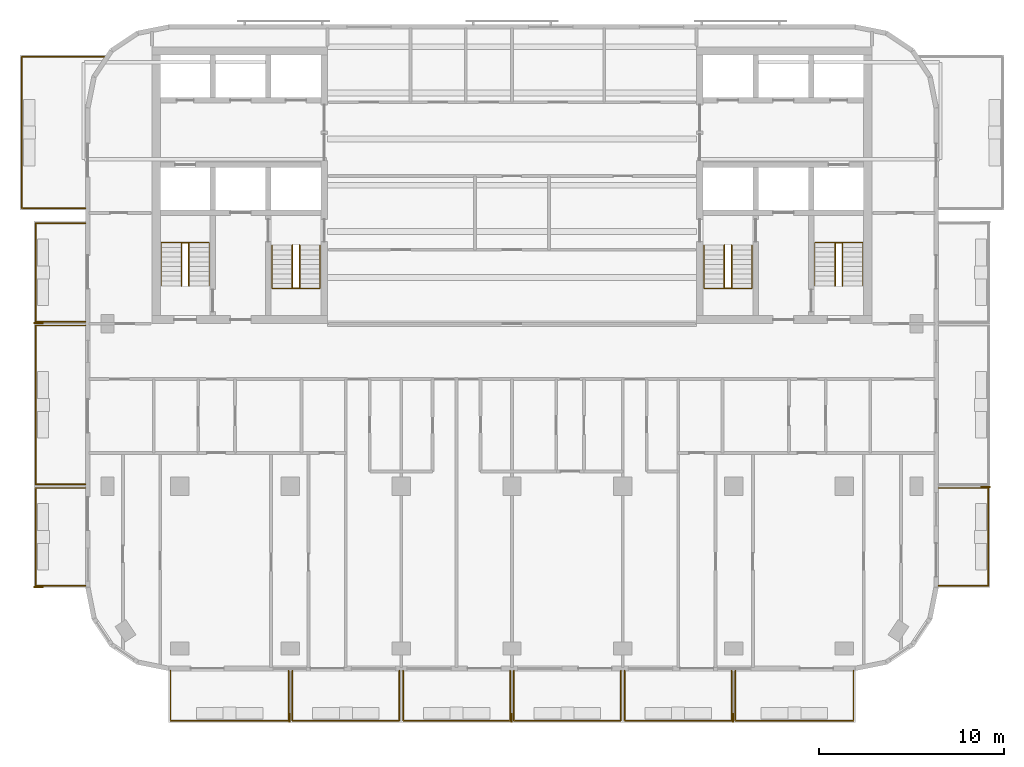
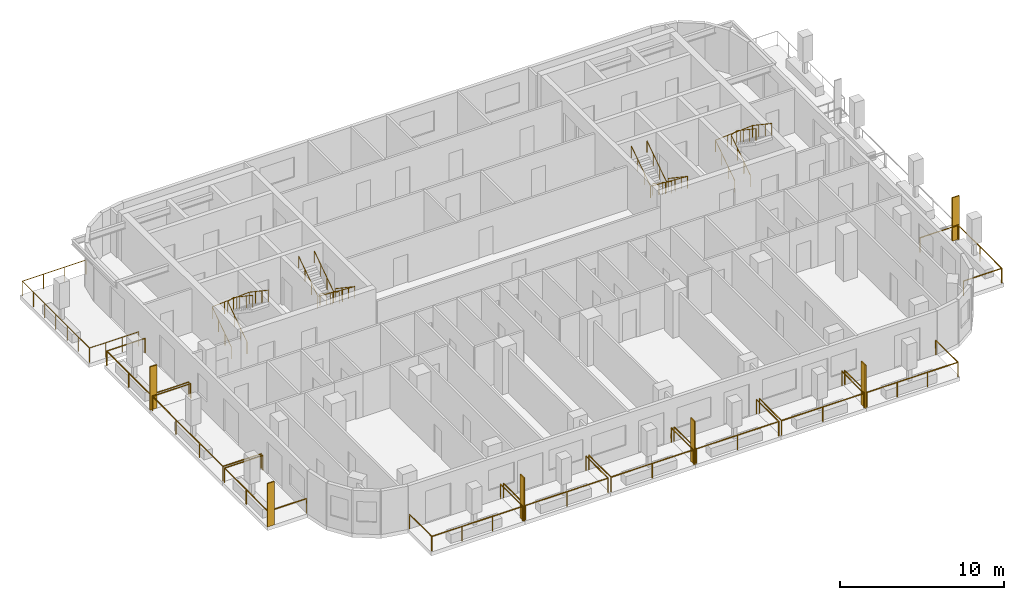
# One storey, part 9 of 11: 19 railings, 6 shading devices.
"""IFC4 building model written with IfcOpenShell, lengths in metres."""

from ifc_helpers import new_model, si_unit, direction, frame, origin, origin_2d, place, context, subcontext, project, spatial, rectangle, circle, extrude, material, layer, layer_set, type_object, element, save


model = new_model("IFC4")

# Units and contexts
model_context = context("Model", 3, precision=1e-05, world=origin(), true_north=direction((0.0, 1.0)))
body_context = subcontext(model_context, "Body", "Model", "MODEL_VIEW")
ifc_project = project(units=[si_unit("LENGTHUNIT", "METRE"), si_unit("AREAUNIT", "SQUARE_METRE"), si_unit("VOLUMEUNIT", "CUBIC_METRE"), si_unit("PLANEANGLEUNIT", "RADIAN"), si_unit("MASSUNIT", "GRAM", prefix="KILO")], contexts=[model_context])

# Site, building, storey
site_placement = place(None, origin())
site = spatial("IfcSite", under=ifc_project, at=site_placement, CompositionType="ELEMENT")
building_placement = place(site_placement, origin())
building = spatial("IfcBuilding", under=site, at=building_placement, Name="Torana Hotel and Residences", CompositionType="ELEMENT")
storey_placement = place(building_placement, frame((0.0, 0.0, 270.10009765625)))
storey = spatial("IfcBuildingStorey", under=building, at=storey_placement, Name="L71", CompositionType="ELEMENT", Elevation=270.10009765625)

# Shading devices
ifc_material_1 = material(Name="Black powder coated aluminium", Category="aluminium")
ifc_layer = layer(ifc_material_1, 0.080078125)
ifc_layer_set = layer_set([ifc_layer], Name="FN1 VERTICAL FIN 500x80")
shading_device_type = type_object("IfcShadingDeviceType", Name="FN1 VERTICAL FIN 500x80", PredefinedType="USERDEFINED", material=ifc_layer_set)
for number, where, z_axis, x_axis, name in (
    (1, (-12.0400390625, -36.35009765625, 0.0), (0.0, 0.0, 1.0), (-1.0, 0.0, 0.0), "Fin 01"),
    (2, (-0.0400390625, -36.35009765625, 0.0), (0.0, 0.0, 1.0), (-1.0, 0.0, 0.0), "Fin 03"),
    (3, (11.9599609375, -36.35009765625, 0.0), (0.0, 0.0, 1.0), (-1.0, 0.0, 0.0), "Fin 05"),
    (4, (-25.64990234375, -29.260009765625, 0.0), (0.0, 0.0, 1.0), (0.0, 1.0, 0.0), "Fin 07"),
    (5, (-25.64990234375, -14.9599609375, 0.0), (0.0, 0.0, 1.0), (0.0, 1.0, 0.0), "Fin 09"),
    (6, (25.64990234375, -23.840087890625, 0.0), (0.0, 0.0, 1.0), (0.0, -1.0, 0.0), "Fin 11"),
):
    element("IfcShadingDevice", number, at=place(storey_placement, frame(where, z_axis=z_axis, x_axis=x_axis)), inside=storey, type_object=shading_device_type, Name=name, ObjectType="FIN", PredefinedType="USERDEFINED", context=body_context, shape_type="SweptSolid", body=[
        extrude(rectangle(XDim=0.080078125, YDim=0.5, at=origin_2d()), origin(), (0.0, 0.0, 1.0), 3.219970703125),
    ])

# Railings
ifc_material_2 = material(Name="Laminated glass balustrade with black handrail", Category="glass")
railing_type_1 = type_object("IfcRailingType", Name="GR1 BALCONY GUARD 1100 GLASS", PredefinedType="GUARDRAIL", material=ifc_material_2)
railing_1_placement = place(storey_placement, frame((-12.10009765625, -33.800048828125, 0.0)))
element("IfcRailing", 7, at=railing_1_placement, inside=storey, type_object=railing_type_1, Name="Balcony guard 01", PredefinedType="GUARDRAIL", context=body_context, shape_type="SweptSolid", body=[
    extrude(circle(Radius=0.02392578125, at=origin_2d()), frame((0.0, 0.0, 1.076171875), z_axis=(0.0, -1.0, 0.0), x_axis=(1.0, 0.0, 0.0)), (0.0, 0.0, 1.0), 2.699951171875),
    extrude(circle(Radius=0.02392578125, at=origin_2d()), frame((0.0, -2.699951171875, 1.076171875), z_axis=(-1.0, 0.0, 0.0), x_axis=(0.0, -1.0, 0.0)), (0.0, 0.0, 1.0), 6.39990234375),
    extrude(circle(Radius=0.02392578125, at=origin_2d()), frame((-6.39990234375, -2.699951171875, 1.076171875), z_axis=(0.0, 1.0, 0.0), x_axis=(-1.0, 0.0, 0.0)), (0.0, 0.0, 1.0), 2.699951171875),
    extrude(circle(Radius=0.02099609375, at=origin_2d()), origin(), (0.0, 0.0, 1.0), 1.052001953125),
    extrude(circle(Radius=0.02099609375, at=origin_2d()), frame((0.0, -2.699951171875, 0.0)), (0.0, 0.0, 1.0), 1.052001953125),
    extrude(circle(Radius=0.02099609375, at=origin_2d()), frame((-2.13330078125, -2.699951171875, 0.0)), (0.0, 0.0, 1.0), 1.052001953125),
    extrude(circle(Radius=0.02099609375, at=origin_2d()), frame((-4.2666015625, -2.699951171875, 0.0)), (0.0, 0.0, 1.0), 1.052001953125),
    extrude(circle(Radius=0.02099609375, at=origin_2d()), frame((-6.39990234375, -2.699951171875, 0.0)), (0.0, 0.0, 1.0), 1.052001953125),
    extrude(circle(Radius=0.02099609375, at=origin_2d()), frame((-6.39990234375, 0.0, 0.0)), (0.0, 0.0, 1.0), 1.052001953125),
])
for number, where, name in (
    (8, (-6.10009765625, -33.800048828125, 0.0), "Balcony guard 02"),
    (9, (-0.10009765625, -33.800048828125, 0.0), "Balcony guard 03"),
    (10, (5.89990234375, -33.800048828125, 0.0), "Balcony guard 04"),
    (11, (11.89990234375, -33.800048828125, 0.0), "Balcony guard 05"),
):
    element("IfcRailing", number, at=place(storey_placement, frame(where)), inside=storey, type_object=railing_type_1, Name=name, PredefinedType="GUARDRAIL", context=body_context, shape_type="SweptSolid", body=[
        extrude(circle(Radius=0.02392578125, at=origin_2d()), frame((0.0, 0.0, 1.076171875), z_axis=(0.0, -1.0, 0.0), x_axis=(1.0, 0.0, 0.0)), (0.0, 0.0, 1.0), 2.699951171875),
        extrude(circle(Radius=0.02392578125, at=origin_2d()), frame((0.0, -2.699951171875, 1.076171875), z_axis=(-1.0, 0.0, 0.0), x_axis=(0.0, -1.0, 0.0)), (0.0, 0.0, 1.0), 5.7998046875),
        extrude(circle(Radius=0.02392578125, at=origin_2d()), frame((-5.7998046875, -2.699951171875, 1.076171875), z_axis=(0.0, 1.0, 0.0), x_axis=(-1.0, 0.0, 0.0)), (0.0, 0.0, 1.0), 2.699951171875),
        extrude(circle(Radius=0.02099609375, at=origin_2d()), origin(), (0.0, 0.0, 1.0), 1.052001953125),
        extrude(circle(Radius=0.02099609375, at=origin_2d()), frame((0.0, -2.699951171875, 0.0)), (0.0, 0.0, 1.0), 1.052001953125),
        extrude(circle(Radius=0.02099609375, at=origin_2d()), frame((-2.89990234375, -2.699951171875, 0.0)), (0.0, 0.0, 1.0), 1.052001953125),
        extrude(circle(Radius=0.02099609375, at=origin_2d()), frame((-5.7998046875, -2.699951171875, 0.0)), (0.0, 0.0, 1.0), 1.052001953125),
        extrude(circle(Radius=0.02099609375, at=origin_2d()), frame((-5.7998046875, 0.0, 0.0)), (0.0, 0.0, 1.0), 1.052001953125),
    ])
railing_2_placement = place(storey_placement, frame((18.5, -33.800048828125, 0.0)))
element("IfcRailing", 12, at=railing_2_placement, inside=storey, type_object=railing_type_1, Name="Balcony guard 06", PredefinedType="GUARDRAIL", context=body_context, shape_type="SweptSolid", body=[
    extrude(circle(Radius=0.02392578125, at=origin_2d()), frame((0.0, 0.0, 1.076171875), z_axis=(0.0, -1.0, 0.0), x_axis=(1.0, 0.0, 0.0)), (0.0, 0.0, 1.0), 2.699951171875),
    extrude(circle(Radius=0.02392578125, at=origin_2d()), frame((0.0, -2.699951171875, 1.076171875), z_axis=(-1.0, 0.0, 0.0), x_axis=(0.0, -1.0, 0.0)), (0.0, 0.0, 1.0), 6.39990234375),
    extrude(circle(Radius=0.02392578125, at=origin_2d()), frame((-6.39990234375, -2.699951171875, 1.076171875), z_axis=(0.0, 1.0, 0.0), x_axis=(-1.0, 0.0, 0.0)), (0.0, 0.0, 1.0), 2.699951171875),
    extrude(circle(Radius=0.02099609375, at=origin_2d()), origin(), (0.0, 0.0, 1.0), 1.052001953125),
    extrude(circle(Radius=0.02099609375, at=origin_2d()), frame((0.0, -2.699951171875, 0.0)), (0.0, 0.0, 1.0), 1.052001953125),
    extrude(circle(Radius=0.02099609375, at=origin_2d()), frame((-2.13330078125, -2.699951171875, 0.0)), (0.0, 0.0, 1.0), 1.052001953125),
    extrude(circle(Radius=0.02099609375, at=origin_2d()), frame((-4.2666015625, -2.699951171875, 0.0)), (0.0, 0.0, 1.0), 1.052001953125),
    extrude(circle(Radius=0.02099609375, at=origin_2d()), frame((-6.39990234375, -2.699951171875, 0.0)), (0.0, 0.0, 1.0), 1.052001953125),
    extrude(circle(Radius=0.02099609375, at=origin_2d()), frame((-6.39990234375, 0.0, 0.0)), (0.0, 0.0, 1.0), 1.052001953125),
])
railing_3_placement = place(storey_placement, frame((-23.10009765625, -29.199951171875, 0.0)))
element("IfcRailing", 13, at=railing_3_placement, inside=storey, type_object=railing_type_1, Name="Balcony guard 07", PredefinedType="GUARDRAIL", context=body_context, shape_type="SweptSolid", body=[
    extrude(circle(Radius=0.02392578125, at=origin_2d()), frame((0.0, 0.0, 1.076171875), z_axis=(-1.0, 0.0, 0.0), x_axis=(0.0, -1.0, 0.0)), (0.0, 0.0, 1.0), 2.699951171875),
    extrude(circle(Radius=0.02392578125, at=origin_2d()), frame((-2.699951171875, 0.0, 1.076171875), z_axis=(0.0, 1.0, 0.0), x_axis=(-1.0, 0.0, 0.0)), (0.0, 0.0, 1.0), 5.300048828125),
    extrude(circle(Radius=0.02392578125, at=origin_2d()), frame((-2.699951171875, 5.300048828125, 1.076171875), z_axis=(1.0, 0.0, 0.0), x_axis=(0.0, 1.0, 0.0)), (0.0, 0.0, 1.0), 2.699951171875),
    extrude(circle(Radius=0.02099609375, at=origin_2d()), origin(), (0.0, 0.0, 1.0), 1.052001953125),
    extrude(circle(Radius=0.02099609375, at=origin_2d()), frame((-2.699951171875, 0.0, 0.0)), (0.0, 0.0, 1.0), 1.052001953125),
    extrude(circle(Radius=0.02099609375, at=origin_2d()), frame((-2.699951171875, 2.64990234375, 0.0)), (0.0, 0.0, 1.0), 1.052001953125),
    extrude(circle(Radius=0.02099609375, at=origin_2d()), frame((-2.699951171875, 5.300048828125, 0.0)), (0.0, 0.0, 1.0), 1.052001953125),
    extrude(circle(Radius=0.02099609375, at=origin_2d()), frame((0.0, 5.300048828125, 0.0)), (0.0, 0.0, 1.0), 1.052001953125),
])
railing_4_placement = place(storey_placement, frame((-23.10009765625, -23.699951171875, 0.0)))
element("IfcRailing", 14, at=railing_4_placement, inside=storey, type_object=railing_type_1, Name="Balcony guard 08", PredefinedType="GUARDRAIL", context=body_context, shape_type="SweptSolid", body=[
    extrude(circle(Radius=0.02392578125, at=origin_2d()), frame((0.0, 0.0, 1.076171875), z_axis=(-1.0, 0.0, 0.0), x_axis=(0.0, -1.0, 0.0)), (0.0, 0.0, 1.0), 2.699951171875),
    extrude(circle(Radius=0.02392578125, at=origin_2d()), frame((-2.699951171875, 0.0, 1.076171875), z_axis=(0.0, 1.0, 0.0), x_axis=(-1.0, 0.0, 0.0)), (0.0, 0.0, 1.0), 8.599853515625),
    extrude(circle(Radius=0.02392578125, at=origin_2d()), frame((-2.699951171875, 8.599853515625, 1.076171875), z_axis=(1.0, 0.0, 0.0), x_axis=(0.0, 1.0, 0.0)), (0.0, 0.0, 1.0), 2.699951171875),
    extrude(circle(Radius=0.02099609375, at=origin_2d()), origin(), (0.0, 0.0, 1.0), 1.052001953125),
    extrude(circle(Radius=0.02099609375, at=origin_2d()), frame((-2.699951171875, 0.0, 0.0)), (0.0, 0.0, 1.0), 1.052001953125),
    extrude(circle(Radius=0.02099609375, at=origin_2d()), frame((-2.699951171875, 2.86669921875, 0.0)), (0.0, 0.0, 1.0), 1.052001953125),
    extrude(circle(Radius=0.02099609375, at=origin_2d()), frame((-2.699951171875, 5.733154296875, 0.0)), (0.0, 0.0, 1.0), 1.052001953125),
    extrude(circle(Radius=0.02099609375, at=origin_2d()), frame((-2.699951171875, 8.599853515625, 0.0)), (0.0, 0.0, 1.0), 1.052001953125),
    extrude(circle(Radius=0.02099609375, at=origin_2d()), frame((0.0, 8.599853515625, 0.0)), (0.0, 0.0, 1.0), 1.052001953125),
])
railing_5_placement = place(storey_placement, frame((-23.10009765625, -14.89990234375, 0.0)))
element("IfcRailing", 15, at=railing_5_placement, inside=storey, type_object=railing_type_1, Name="Balcony guard 09", PredefinedType="GUARDRAIL", context=body_context, shape_type="SweptSolid", body=[
    extrude(circle(Radius=0.02392578125, at=origin_2d()), frame((0.0, 0.0, 1.076171875), z_axis=(-1.0, 0.0, 0.0), x_axis=(0.0, -1.0, 0.0)), (0.0, 0.0, 1.0), 2.699951171875),
    extrude(circle(Radius=0.02392578125, at=origin_2d()), frame((-2.699951171875, 0.0, 1.076171875), z_axis=(0.0, 1.0, 0.0), x_axis=(-1.0, 0.0, 0.0)), (0.0, 0.0, 1.0), 5.349853515625),
    extrude(circle(Radius=0.02392578125, at=origin_2d()), frame((-2.699951171875, 5.349853515625, 1.076171875), z_axis=(1.0, 0.0, 0.0), x_axis=(0.0, 1.0, 0.0)), (0.0, 0.0, 1.0), 2.699951171875),
    extrude(circle(Radius=0.02099609375, at=origin_2d()), origin(), (0.0, 0.0, 1.0), 1.052001953125),
    extrude(circle(Radius=0.02099609375, at=origin_2d()), frame((-2.699951171875, 0.0, 0.0)), (0.0, 0.0, 1.0), 1.052001953125),
    extrude(circle(Radius=0.02099609375, at=origin_2d()), frame((-2.699951171875, 2.6748046875, 0.0)), (0.0, 0.0, 1.0), 1.052001953125),
    extrude(circle(Radius=0.02099609375, at=origin_2d()), frame((-2.699951171875, 5.349853515625, 0.0)), (0.0, 0.0, 1.0), 1.052001953125),
    extrude(circle(Radius=0.02099609375, at=origin_2d()), frame((0.0, 5.349853515625, 0.0)), (0.0, 0.0, 1.0), 1.052001953125),
])
railing_6_placement = place(storey_placement, frame((-23.10009765625, -8.75, 0.0)))
element("IfcRailing", 16, at=railing_6_placement, inside=storey, type_object=railing_type_1, Name="Balcony guard 10", PredefinedType="GUARDRAIL", context=body_context, shape_type="SweptSolid", body=[
    extrude(circle(Radius=0.02392578125, at=origin_2d()), frame((0.0, 0.0, 1.076171875), z_axis=(-1.0, 0.0, 0.0), x_axis=(0.0, -1.0, 0.0)), (0.0, 0.0, 1.0), 3.449951171875),
    extrude(circle(Radius=0.02392578125, at=origin_2d()), frame((-3.449951171875, 0.0, 1.076171875), z_axis=(0.0, 1.0, 0.0), x_axis=(-1.0, 0.0, 0.0)), (0.0, 0.0, 1.0), 8.199951171875),
    extrude(circle(Radius=0.02392578125, at=origin_2d()), frame((-3.449951171875, 8.199951171875, 1.076171875), z_axis=(1.0, 0.0, 0.0), x_axis=(0.0, 1.0, 0.0)), (0.0, 0.0, 1.0), 4.479248046875),
    extrude(circle(Radius=0.02099609375, at=origin_2d()), origin(), (0.0, 0.0, 1.0), 1.052001953125),
    extrude(circle(Radius=0.02099609375, at=origin_2d()), frame((-1.14990234375, 0.0, 0.0)), (0.0, 0.0, 1.0), 1.052001953125),
    extrude(circle(Radius=0.02099609375, at=origin_2d()), frame((-2.300048828125, 0.0, 0.0)), (0.0, 0.0, 1.0), 1.052001953125),
    extrude(circle(Radius=0.02099609375, at=origin_2d()), frame((-3.449951171875, 0.0, 0.0)), (0.0, 0.0, 1.0), 1.052001953125),
    extrude(circle(Radius=0.02099609375, at=origin_2d()), frame((-3.449951171875, 1.36669921875, 0.0)), (0.0, 0.0, 1.0), 1.052001953125),
    extrude(circle(Radius=0.02099609375, at=origin_2d()), frame((-3.449951171875, 2.7333984375, 0.0)), (0.0, 0.0, 1.0), 1.052001953125),
    extrude(circle(Radius=0.02099609375, at=origin_2d()), frame((-3.449951171875, 4.10009765625, 0.0)), (0.0, 0.0, 1.0), 1.052001953125),
    extrude(circle(Radius=0.02099609375, at=origin_2d()), frame((-3.449951171875, 5.466552734375, 0.0)), (0.0, 0.0, 1.0), 1.052001953125),
    extrude(circle(Radius=0.02099609375, at=origin_2d()), frame((-3.449951171875, 6.833251953125, 0.0)), (0.0, 0.0, 1.0), 1.052001953125),
    extrude(circle(Radius=0.02099609375, at=origin_2d()), frame((-3.449951171875, 8.199951171875, 0.0)), (0.0, 0.0, 1.0), 1.052001953125),
    extrude(circle(Radius=0.02099609375, at=origin_2d()), frame((-1.956787109375, 8.199951171875, 0.0)), (0.0, 0.0, 1.0), 1.052001953125),
    extrude(circle(Radius=0.02099609375, at=origin_2d()), frame((-0.4638671875, 8.199951171875, 0.0)), (0.0, 0.0, 1.0), 1.052001953125),
    extrude(circle(Radius=0.02099609375, at=origin_2d()), frame((1.029296875, 8.199951171875, 0.0)), (0.0, 0.0, 1.0), 1.052001953125),
])
railing_7_placement = place(storey_placement, frame((23.10009765625, -23.89990234375, 0.0)))
element("IfcRailing", 17, at=railing_7_placement, inside=storey, type_object=railing_type_1, Name="Balcony guard 11", PredefinedType="GUARDRAIL", context=body_context, shape_type="SweptSolid", body=[
    extrude(circle(Radius=0.02392578125, at=origin_2d()), frame((0.0, 0.0, 1.076171875), z_axis=(1.0, 0.0, 0.0), x_axis=(0.0, 1.0, 0.0)), (0.0, 0.0, 1.0), 2.699951171875),
    extrude(circle(Radius=0.02392578125, at=origin_2d()), frame((2.699951171875, 0.0, 1.076171875), z_axis=(0.0, -1.0, 0.0), x_axis=(1.0, 0.0, 0.0)), (0.0, 0.0, 1.0), 5.300048828125),
    extrude(circle(Radius=0.02392578125, at=origin_2d()), frame((2.699951171875, -5.300048828125, 1.076171875), z_axis=(-1.0, 0.0, 0.0), x_axis=(0.0, -1.0, 0.0)), (0.0, 0.0, 1.0), 2.699951171875),
    extrude(circle(Radius=0.02099609375, at=origin_2d()), origin(), (0.0, 0.0, 1.0), 1.052001953125),
    extrude(circle(Radius=0.02099609375, at=origin_2d()), frame((2.699951171875, 0.0, 0.0)), (0.0, 0.0, 1.0), 1.052001953125),
    extrude(circle(Radius=0.02099609375, at=origin_2d()), frame((2.699951171875, -2.64990234375, 0.0)), (0.0, 0.0, 1.0), 1.052001953125),
    extrude(circle(Radius=0.02099609375, at=origin_2d()), frame((2.699951171875, -5.300048828125, 0.0)), (0.0, 0.0, 1.0), 1.052001953125),
    extrude(circle(Radius=0.02099609375, at=origin_2d()), frame((0.0, -5.300048828125, 0.0)), (0.0, 0.0, 1.0), 1.052001953125),
])
ifc_material_3 = material(Name="Stainless steel 316", Category="steel")
railing_type_2 = type_object("IfcRailingType", Name="STAIR HANDRAIL HR1 900", PredefinedType="HANDRAIL", material=ifc_material_3)
railing_8_placement = place(storey_placement, frame((-10.39990234375, -10.75, 0.1748046875)))
element("IfcRailing", 18, at=railing_8_placement, inside=storey, type_object=railing_type_2, Name="Handrail ST1 L71 O1", PredefinedType="HANDRAIL", context=body_context, shape_type="SweptSolid", body=[
    extrude(circle(Radius=0.02392578125, at=origin_2d()), frame((0.0, 0.0, 0.8759765625), z_axis=(0.0, -0.829565388462, 0.558409586474), x_axis=(1.0, 0.0, 0.0)), (0.0, 0.0, 1.0), 2.82080078125),
    extrude(circle(Radius=0.02392578125, at=origin_2d()), frame((0.0, -2.340087890625, 2.451171875), z_axis=(-0.997747692642, 0.0, 0.067078624219), x_axis=(0.0, -1.0, 0.0)), (0.0, 0.0, 1.0), 2.60595703125),
    extrude(circle(Radius=0.02392578125, at=origin_2d()), frame((-2.60009765625, -2.340087890625, 2.6259765625), z_axis=(0.0, 0.829565388462, 0.558409586474), x_axis=(-1.0, 0.0, 0.0)), (0.0, 0.0, 1.0), 2.82080078125),
    extrude(circle(Radius=0.02099609375, at=origin_2d()), origin(), (0.0, 0.0, 1.0), 0.851806640625),
    extrude(circle(Radius=0.02099609375, at=origin_2d()), frame((0.0, -0.780029296875, 0.525146484375)), (0.0, 0.0, 1.0), 0.851806640625),
    extrude(circle(Radius=0.02099609375, at=origin_2d()), frame((0.0, -1.56005859375, 1.050048828125)), (0.0, 0.0, 1.0), 0.851806640625),
    extrude(circle(Radius=0.02099609375, at=origin_2d()), frame((0.0, -2.340087890625, 1.5751953125)), (0.0, 0.0, 1.0), 0.851806640625),
    extrude(circle(Radius=0.02099609375, at=origin_2d()), frame((-0.86669921875, -2.340087890625, 1.633544921875)), (0.0, 0.0, 1.0), 0.851806640625),
    extrude(circle(Radius=0.02099609375, at=origin_2d()), frame((-1.7333984375, -2.340087890625, 1.691650390625)), (0.0, 0.0, 1.0), 0.851806640625),
    extrude(circle(Radius=0.02099609375, at=origin_2d()), frame((-2.60009765625, -2.340087890625, 1.75)), (0.0, 0.0, 1.0), 0.851806640625),
    extrude(circle(Radius=0.02099609375, at=origin_2d()), frame((-2.60009765625, -1.56005859375, 2.275146484375)), (0.0, 0.0, 1.0), 0.851806640625),
    extrude(circle(Radius=0.02099609375, at=origin_2d()), frame((-2.60009765625, -0.780029296875, 2.800048828125)), (0.0, 0.0, 1.0), 0.851806640625),
    extrude(circle(Radius=0.02099609375, at=origin_2d()), frame((-2.60009765625, 0.0, 3.3251953125)), (0.0, 0.0, 1.0), 0.851806640625),
])
railing_9_placement = place(storey_placement, frame((-11.5, -10.75, 0.1748046875)))
element("IfcRailing", 19, at=railing_9_placement, inside=storey, type_object=railing_type_2, Name="Handrail ST1 L71 I1", PredefinedType="HANDRAIL", context=body_context, shape_type="SweptSolid", body=[
    extrude(circle(Radius=0.02392578125, at=origin_2d()), frame((0.0, 0.0, 0.8759765625), z_axis=(0.0, -0.829565388462, 0.558409586474), x_axis=(1.0, 0.0, 0.0)), (0.0, 0.0, 1.0), 2.82080078125),
    extrude(circle(Radius=0.02392578125, at=origin_2d()), frame((0.0, -2.340087890625, 2.451171875), z_axis=(-0.916285673175, 0.0, 0.400525361412), x_axis=(0.0, -1.0, 0.0)), (0.0, 0.0, 1.0), 0.4365234375),
    extrude(circle(Radius=0.02392578125, at=origin_2d()), frame((-0.39990234375, -2.340087890625, 2.6259765625), z_axis=(0.0, 0.829565388462, 0.558409586474), x_axis=(-1.0, 0.0, 0.0)), (0.0, 0.0, 1.0), 2.82080078125),
    extrude(circle(Radius=0.02099609375, at=origin_2d()), origin(), (0.0, 0.0, 1.0), 0.851806640625),
    extrude(circle(Radius=0.02099609375, at=origin_2d()), frame((0.0, -0.780029296875, 0.525146484375)), (0.0, 0.0, 1.0), 0.851806640625),
    extrude(circle(Radius=0.02099609375, at=origin_2d()), frame((0.0, -1.56005859375, 1.050048828125)), (0.0, 0.0, 1.0), 0.851806640625),
    extrude(circle(Radius=0.02099609375, at=origin_2d()), frame((0.0, -2.340087890625, 1.5751953125)), (0.0, 0.0, 1.0), 0.851806640625),
    extrude(circle(Radius=0.02099609375, at=origin_2d()), frame((-0.39990234375, -2.340087890625, 1.75)), (0.0, 0.0, 1.0), 0.851806640625),
    extrude(circle(Radius=0.02099609375, at=origin_2d()), frame((-0.39990234375, -1.56005859375, 2.275146484375)), (0.0, 0.0, 1.0), 0.851806640625),
    extrude(circle(Radius=0.02099609375, at=origin_2d()), frame((-0.39990234375, -0.780029296875, 2.800048828125)), (0.0, 0.0, 1.0), 0.851806640625),
    extrude(circle(Radius=0.02099609375, at=origin_2d()), frame((-0.39990234375, 0.0, 3.3251953125)), (0.0, 0.0, 1.0), 0.851806640625),
])
railing_10_placement = place(storey_placement, frame((-19.0, -12.949951171875, 0.1748046875)))
element("IfcRailing", 20, at=railing_10_placement, inside=storey, type_object=railing_type_2, Name="Handrail ST2 L71 O1", PredefinedType="HANDRAIL", context=body_context, shape_type="SweptSolid", body=[
    extrude(circle(Radius=0.02392578125, at=origin_2d()), frame((0.0, 0.0, 0.8759765625), z_axis=(0.0, 0.829538397957, 0.558449681095), x_axis=(-1.0, 0.0, 0.0)), (0.0, 0.0, 1.0), 2.820556640625),
    extrude(circle(Radius=0.02392578125, at=origin_2d()), frame((0.0, 2.33984375, 2.451171875), z_axis=(0.997747692642, 0.0, 0.067078624219), x_axis=(0.0, 1.0, 0.0)), (0.0, 0.0, 1.0), 2.60595703125),
    extrude(circle(Radius=0.02392578125, at=origin_2d()), frame((2.60009765625, 2.33984375, 2.6259765625), z_axis=(0.0, -0.829538397957, 0.558449681095), x_axis=(1.0, 0.0, 0.0)), (0.0, 0.0, 1.0), 2.820556640625),
    extrude(circle(Radius=0.02099609375, at=origin_2d()), origin(), (0.0, 0.0, 1.0), 0.851806640625),
    extrude(circle(Radius=0.02099609375, at=origin_2d()), frame((0.0, 0.780029296875, 0.525146484375)), (0.0, 0.0, 1.0), 0.851806640625),
    extrude(circle(Radius=0.02099609375, at=origin_2d()), frame((0.0, 1.559814453125, 1.050048828125)), (0.0, 0.0, 1.0), 0.851806640625),
    extrude(circle(Radius=0.02099609375, at=origin_2d()), frame((0.0, 2.33984375, 1.5751953125)), (0.0, 0.0, 1.0), 0.851806640625),
    extrude(circle(Radius=0.02099609375, at=origin_2d()), frame((0.86669921875, 2.33984375, 1.633544921875)), (0.0, 0.0, 1.0), 0.851806640625),
    extrude(circle(Radius=0.02099609375, at=origin_2d()), frame((1.7333984375, 2.33984375, 1.691650390625)), (0.0, 0.0, 1.0), 0.851806640625),
    extrude(circle(Radius=0.02099609375, at=origin_2d()), frame((2.60009765625, 2.33984375, 1.75)), (0.0, 0.0, 1.0), 0.851806640625),
    extrude(circle(Radius=0.02099609375, at=origin_2d()), frame((2.60009765625, 1.559814453125, 2.275146484375)), (0.0, 0.0, 1.0), 0.851806640625),
    extrude(circle(Radius=0.02099609375, at=origin_2d()), frame((2.60009765625, 0.780029296875, 2.800048828125)), (0.0, 0.0, 1.0), 0.851806640625),
    extrude(circle(Radius=0.02099609375, at=origin_2d()), frame((2.60009765625, 0.0, 3.3251953125)), (0.0, 0.0, 1.0), 0.851806640625),
])
railing_11_placement = place(storey_placement, frame((-17.89990234375, -12.949951171875, 0.1748046875)))
element("IfcRailing", 21, at=railing_11_placement, inside=storey, type_object=railing_type_2, Name="Handrail ST2 L71 I1", PredefinedType="HANDRAIL", context=body_context, shape_type="SweptSolid", body=[
    extrude(circle(Radius=0.02392578125, at=origin_2d()), frame((0.0, 0.0, 0.8759765625), z_axis=(0.0, 0.829538397957, 0.558449681095), x_axis=(-1.0, 0.0, 0.0)), (0.0, 0.0, 1.0), 2.820556640625),
    extrude(circle(Radius=0.02392578125, at=origin_2d()), frame((0.0, 2.33984375, 2.451171875), z_axis=(0.916285673175, 0.0, 0.400525361412), x_axis=(0.0, 1.0, 0.0)), (0.0, 0.0, 1.0), 0.4365234375),
    extrude(circle(Radius=0.02392578125, at=origin_2d()), frame((0.39990234375, 2.33984375, 2.6259765625), z_axis=(0.0, -0.829538397957, 0.558449681095), x_axis=(1.0, 0.0, 0.0)), (0.0, 0.0, 1.0), 2.820556640625),
    extrude(circle(Radius=0.02099609375, at=origin_2d()), origin(), (0.0, 0.0, 1.0), 0.851806640625),
    extrude(circle(Radius=0.02099609375, at=origin_2d()), frame((0.0, 0.780029296875, 0.525146484375)), (0.0, 0.0, 1.0), 0.851806640625),
    extrude(circle(Radius=0.02099609375, at=origin_2d()), frame((0.0, 1.559814453125, 1.050048828125)), (0.0, 0.0, 1.0), 0.851806640625),
    extrude(circle(Radius=0.02099609375, at=origin_2d()), frame((0.0, 2.33984375, 1.5751953125)), (0.0, 0.0, 1.0), 0.851806640625),
    extrude(circle(Radius=0.02099609375, at=origin_2d()), frame((0.39990234375, 2.33984375, 1.75)), (0.0, 0.0, 1.0), 0.851806640625),
    extrude(circle(Radius=0.02099609375, at=origin_2d()), frame((0.39990234375, 1.559814453125, 2.275146484375)), (0.0, 0.0, 1.0), 0.851806640625),
    extrude(circle(Radius=0.02099609375, at=origin_2d()), frame((0.39990234375, 0.780029296875, 2.800048828125)), (0.0, 0.0, 1.0), 0.851806640625),
    extrude(circle(Radius=0.02099609375, at=origin_2d()), frame((0.39990234375, 0.0, 3.3251953125)), (0.0, 0.0, 1.0), 0.851806640625),
])
railing_12_placement = place(storey_placement, frame((13.0, -10.75, 0.1748046875)))
element("IfcRailing", 22, at=railing_12_placement, inside=storey, type_object=railing_type_2, Name="Handrail ST3 L71 O1", PredefinedType="HANDRAIL", context=body_context, shape_type="SweptSolid", body=[
    extrude(circle(Radius=0.02392578125, at=origin_2d()), frame((0.0, 0.0, 0.8759765625), z_axis=(0.0, -0.829565388462, 0.558409586474), x_axis=(1.0, 0.0, 0.0)), (0.0, 0.0, 1.0), 2.82080078125),
    extrude(circle(Radius=0.02392578125, at=origin_2d()), frame((0.0, -2.340087890625, 2.451171875), z_axis=(-0.997747692642, 0.0, 0.067078624219), x_axis=(0.0, -1.0, 0.0)), (0.0, 0.0, 1.0), 2.60595703125),
    extrude(circle(Radius=0.02392578125, at=origin_2d()), frame((-2.60009765625, -2.340087890625, 2.6259765625), z_axis=(0.0, 0.829565388462, 0.558409586474), x_axis=(-1.0, 0.0, 0.0)), (0.0, 0.0, 1.0), 2.82080078125),
    extrude(circle(Radius=0.02099609375, at=origin_2d()), origin(), (0.0, 0.0, 1.0), 0.851806640625),
    extrude(circle(Radius=0.02099609375, at=origin_2d()), frame((0.0, -0.780029296875, 0.525146484375)), (0.0, 0.0, 1.0), 0.851806640625),
    extrude(circle(Radius=0.02099609375, at=origin_2d()), frame((0.0, -1.56005859375, 1.050048828125)), (0.0, 0.0, 1.0), 0.851806640625),
    extrude(circle(Radius=0.02099609375, at=origin_2d()), frame((0.0, -2.340087890625, 1.5751953125)), (0.0, 0.0, 1.0), 0.851806640625),
    extrude(circle(Radius=0.02099609375, at=origin_2d()), frame((-0.86669921875, -2.340087890625, 1.633544921875)), (0.0, 0.0, 1.0), 0.851806640625),
    extrude(circle(Radius=0.02099609375, at=origin_2d()), frame((-1.7333984375, -2.340087890625, 1.691650390625)), (0.0, 0.0, 1.0), 0.851806640625),
    extrude(circle(Radius=0.02099609375, at=origin_2d()), frame((-2.60009765625, -2.340087890625, 1.75)), (0.0, 0.0, 1.0), 0.851806640625),
    extrude(circle(Radius=0.02099609375, at=origin_2d()), frame((-2.60009765625, -1.56005859375, 2.275146484375)), (0.0, 0.0, 1.0), 0.851806640625),
    extrude(circle(Radius=0.02099609375, at=origin_2d()), frame((-2.60009765625, -0.780029296875, 2.800048828125)), (0.0, 0.0, 1.0), 0.851806640625),
    extrude(circle(Radius=0.02099609375, at=origin_2d()), frame((-2.60009765625, 0.0, 3.3251953125)), (0.0, 0.0, 1.0), 0.851806640625),
])
railing_13_placement = place(storey_placement, frame((11.89990234375, -10.75, 0.1748046875)))
element("IfcRailing", 23, at=railing_13_placement, inside=storey, type_object=railing_type_2, Name="Handrail ST3 L71 I1", PredefinedType="HANDRAIL", context=body_context, shape_type="SweptSolid", body=[
    extrude(circle(Radius=0.02392578125, at=origin_2d()), frame((0.0, 0.0, 0.8759765625), z_axis=(0.0, -0.829565388462, 0.558409586474), x_axis=(1.0, 0.0, 0.0)), (0.0, 0.0, 1.0), 2.82080078125),
    extrude(circle(Radius=0.02392578125, at=origin_2d()), frame((0.0, -2.340087890625, 2.451171875), z_axis=(-0.916285673175, 0.0, 0.400525361412), x_axis=(0.0, -1.0, 0.0)), (0.0, 0.0, 1.0), 0.4365234375),
    extrude(circle(Radius=0.02392578125, at=origin_2d()), frame((-0.39990234375, -2.340087890625, 2.6259765625), z_axis=(0.0, 0.829565388462, 0.558409586474), x_axis=(-1.0, 0.0, 0.0)), (0.0, 0.0, 1.0), 2.82080078125),
    extrude(circle(Radius=0.02099609375, at=origin_2d()), origin(), (0.0, 0.0, 1.0), 0.851806640625),
    extrude(circle(Radius=0.02099609375, at=origin_2d()), frame((0.0, -0.780029296875, 0.525146484375)), (0.0, 0.0, 1.0), 0.851806640625),
    extrude(circle(Radius=0.02099609375, at=origin_2d()), frame((0.0, -1.56005859375, 1.050048828125)), (0.0, 0.0, 1.0), 0.851806640625),
    extrude(circle(Radius=0.02099609375, at=origin_2d()), frame((0.0, -2.340087890625, 1.5751953125)), (0.0, 0.0, 1.0), 0.851806640625),
    extrude(circle(Radius=0.02099609375, at=origin_2d()), frame((-0.39990234375, -2.340087890625, 1.75)), (0.0, 0.0, 1.0), 0.851806640625),
    extrude(circle(Radius=0.02099609375, at=origin_2d()), frame((-0.39990234375, -1.56005859375, 2.275146484375)), (0.0, 0.0, 1.0), 0.851806640625),
    extrude(circle(Radius=0.02099609375, at=origin_2d()), frame((-0.39990234375, -0.780029296875, 2.800048828125)), (0.0, 0.0, 1.0), 0.851806640625),
    extrude(circle(Radius=0.02099609375, at=origin_2d()), frame((-0.39990234375, 0.0, 3.3251953125)), (0.0, 0.0, 1.0), 0.851806640625),
])
railing_14_placement = place(storey_placement, frame((16.39990234375, -12.949951171875, 0.1748046875)))
element("IfcRailing", 24, at=railing_14_placement, inside=storey, type_object=railing_type_2, Name="Handrail ST4 L71 O1", PredefinedType="HANDRAIL", context=body_context, shape_type="SweptSolid", body=[
    extrude(circle(Radius=0.02392578125, at=origin_2d()), frame((0.0, 0.0, 0.8759765625), z_axis=(0.0, 0.829538397957, 0.558449681095), x_axis=(-1.0, 0.0, 0.0)), (0.0, 0.0, 1.0), 2.820556640625),
    extrude(circle(Radius=0.02392578125, at=origin_2d()), frame((0.0, 2.33984375, 2.451171875), z_axis=(0.997747692642, 0.0, 0.067078624219), x_axis=(0.0, 1.0, 0.0)), (0.0, 0.0, 1.0), 2.60595703125),
    extrude(circle(Radius=0.02392578125, at=origin_2d()), frame((2.60009765625, 2.33984375, 2.6259765625), z_axis=(0.0, -0.829538397957, 0.558449681095), x_axis=(1.0, 0.0, 0.0)), (0.0, 0.0, 1.0), 2.820556640625),
    extrude(circle(Radius=0.02099609375, at=origin_2d()), origin(), (0.0, 0.0, 1.0), 0.851806640625),
    extrude(circle(Radius=0.02099609375, at=origin_2d()), frame((0.0, 0.780029296875, 0.525146484375)), (0.0, 0.0, 1.0), 0.851806640625),
    extrude(circle(Radius=0.02099609375, at=origin_2d()), frame((0.0, 1.559814453125, 1.050048828125)), (0.0, 0.0, 1.0), 0.851806640625),
    extrude(circle(Radius=0.02099609375, at=origin_2d()), frame((0.0, 2.33984375, 1.5751953125)), (0.0, 0.0, 1.0), 0.851806640625),
    extrude(circle(Radius=0.02099609375, at=origin_2d()), frame((0.86669921875, 2.33984375, 1.633544921875)), (0.0, 0.0, 1.0), 0.851806640625),
    extrude(circle(Radius=0.02099609375, at=origin_2d()), frame((1.7333984375, 2.33984375, 1.691650390625)), (0.0, 0.0, 1.0), 0.851806640625),
    extrude(circle(Radius=0.02099609375, at=origin_2d()), frame((2.60009765625, 2.33984375, 1.75)), (0.0, 0.0, 1.0), 0.851806640625),
    extrude(circle(Radius=0.02099609375, at=origin_2d()), frame((2.60009765625, 1.559814453125, 2.275146484375)), (0.0, 0.0, 1.0), 0.851806640625),
    extrude(circle(Radius=0.02099609375, at=origin_2d()), frame((2.60009765625, 0.780029296875, 2.800048828125)), (0.0, 0.0, 1.0), 0.851806640625),
    extrude(circle(Radius=0.02099609375, at=origin_2d()), frame((2.60009765625, 0.0, 3.3251953125)), (0.0, 0.0, 1.0), 0.851806640625),
])
railing_15_placement = place(storey_placement, frame((17.5, -12.949951171875, 0.1748046875)))
element("IfcRailing", 25, at=railing_15_placement, inside=storey, type_object=railing_type_2, Name="Handrail ST4 L71 I1", PredefinedType="HANDRAIL", context=body_context, shape_type="SweptSolid", body=[
    extrude(circle(Radius=0.02392578125, at=origin_2d()), frame((0.0, 0.0, 0.8759765625), z_axis=(0.0, 0.829538397957, 0.558449681095), x_axis=(-1.0, 0.0, 0.0)), (0.0, 0.0, 1.0), 2.820556640625),
    extrude(circle(Radius=0.02392578125, at=origin_2d()), frame((0.0, 2.33984375, 2.451171875), z_axis=(0.916285673175, 0.0, 0.400525361412), x_axis=(0.0, 1.0, 0.0)), (0.0, 0.0, 1.0), 0.4365234375),
    extrude(circle(Radius=0.02392578125, at=origin_2d()), frame((0.39990234375, 2.33984375, 2.6259765625), z_axis=(0.0, -0.829538397957, 0.558449681095), x_axis=(1.0, 0.0, 0.0)), (0.0, 0.0, 1.0), 2.820556640625),
    extrude(circle(Radius=0.02099609375, at=origin_2d()), origin(), (0.0, 0.0, 1.0), 0.851806640625),
    extrude(circle(Radius=0.02099609375, at=origin_2d()), frame((0.0, 0.780029296875, 0.525146484375)), (0.0, 0.0, 1.0), 0.851806640625),
    extrude(circle(Radius=0.02099609375, at=origin_2d()), frame((0.0, 1.559814453125, 1.050048828125)), (0.0, 0.0, 1.0), 0.851806640625),
    extrude(circle(Radius=0.02099609375, at=origin_2d()), frame((0.0, 2.33984375, 1.5751953125)), (0.0, 0.0, 1.0), 0.851806640625),
    extrude(circle(Radius=0.02099609375, at=origin_2d()), frame((0.39990234375, 2.33984375, 1.75)), (0.0, 0.0, 1.0), 0.851806640625),
    extrude(circle(Radius=0.02099609375, at=origin_2d()), frame((0.39990234375, 1.559814453125, 2.275146484375)), (0.0, 0.0, 1.0), 0.851806640625),
    extrude(circle(Radius=0.02099609375, at=origin_2d()), frame((0.39990234375, 0.780029296875, 2.800048828125)), (0.0, 0.0, 1.0), 0.851806640625),
    extrude(circle(Radius=0.02099609375, at=origin_2d()), frame((0.39990234375, 0.0, 3.3251953125)), (0.0, 0.0, 1.0), 0.851806640625),
])

save(model, "model.ifc")
